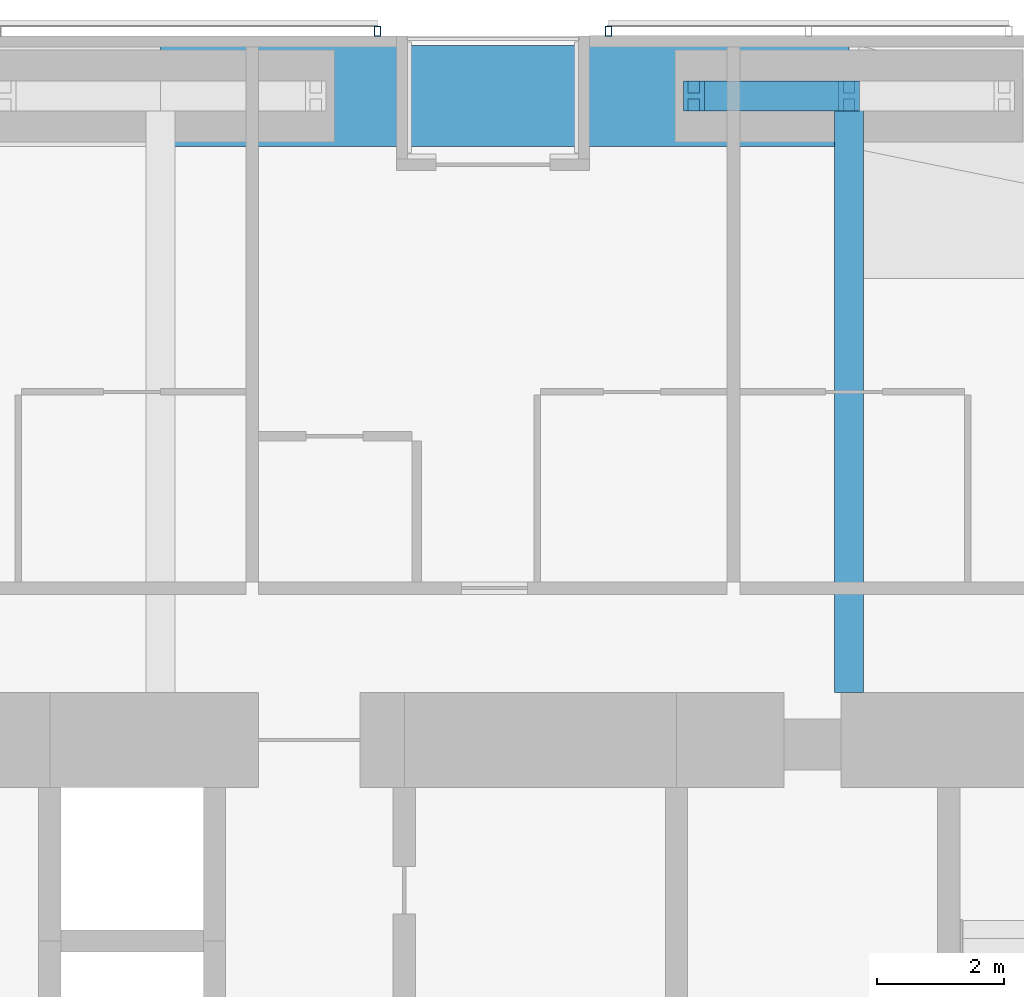
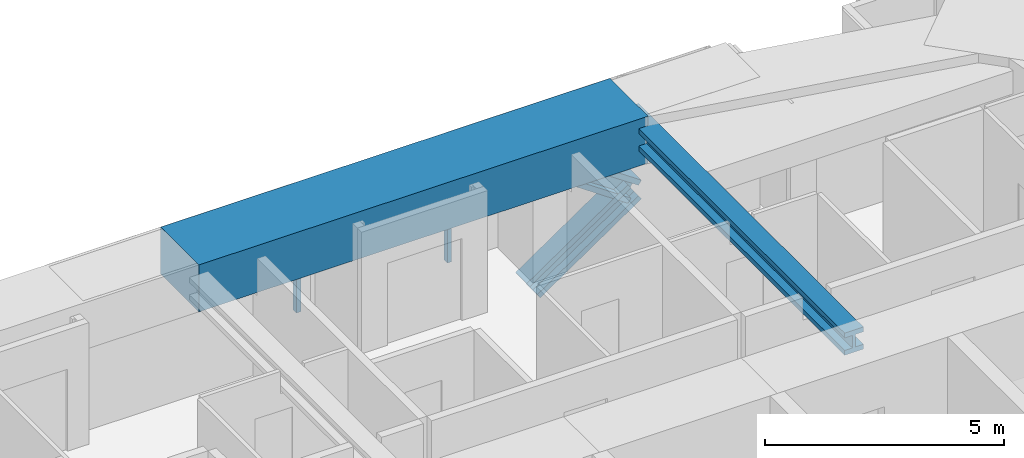
# One storey, part 14 of 25: 4 members, 2 beams, 2 elements without a shape of their own.
"""IFC4 building model written with IfcOpenShell, lengths in metres."""

from ifc_helpers import new_model, si_unit, direction, frame, origin, origin_2d, place, context, subcontext, project, spatial, rectangle, hollow_rectangle, i_section, extrude, material, material_profile, profile_set, type_object, element, aggregate, save


model = new_model("IFC4")

# Units and contexts
model_context = context("Model", 3, precision=1e-05, world=origin(), true_north=direction((0.0, 1.0)))
body_context = subcontext(model_context, "Body", "Model", "MODEL_VIEW")
ifc_project = project(units=[si_unit("LENGTHUNIT", "METRE"), si_unit("AREAUNIT", "SQUARE_METRE"), si_unit("VOLUMEUNIT", "CUBIC_METRE"), si_unit("PLANEANGLEUNIT", "RADIAN"), si_unit("MASSUNIT", "GRAM", prefix="KILO")], contexts=[model_context])

# Site, building, storey
site_placement = place(None, origin())
site = spatial("IfcSite", under=ifc_project, at=site_placement, CompositionType="ELEMENT")
building_placement = place(site_placement, origin())
building = spatial("IfcBuilding", under=site, at=building_placement, Name="Jalousie Tower", CompositionType="ELEMENT")
storey_placement = place(building_placement, frame((0.0, 0.0, 101.5)))
storey = spatial("IfcBuildingStorey", under=building, at=storey_placement, Name="L27", CompositionType="ELEMENT", Elevation=101.5)

# Beam
ifc_material_1 = material(Name="Steel ASTM A992 Grade 50", Category="steel")
ifc_material_profile_1 = material_profile(ifc_material_1, i_section(OverallWidth=0.45458984375, OverallDepth=0.569091796875, WebThickness=0.077880859375, FlangeThickness=0.124755859375, at=origin_2d()), Name="W14X730")
ifc_profile_set_1 = profile_set([ifc_material_profile_1], Name="Steel ASTM A992 Grade 50")
beam_type_1 = type_object("IfcBeamType", Name="LEAN COLLECTOR W14X730", PredefinedType="BEAM", material=ifc_profile_set_1)
beam_1_placement = place(storey_placement, frame((38.625, 37.050048828125, 2.825439453125), z_axis=(0.0, -1.0, 0.0), x_axis=(1.0, 0.0, 0.0)))
element("IfcBeam", 1, at=beam_1_placement, inside=storey, type_object=beam_type_1, Name="Lean collector under L28", PredefinedType="BEAM", context=body_context, shape_type="SweptSolid", body=[
    extrude(i_section(OverallWidth=0.45458984375, OverallDepth=0.569091796875, WebThickness=0.077880859375, FlangeThickness=0.124755859375, at=origin_2d()), origin(), (0.0, 0.0, 1.0), 9.425048828125),
])

# Members
ifc_material_2 = material(Name="Steel ASTM A992 Grade 50", Category="steel")
ifc_material_profile_2 = material_profile(ifc_material_2, i_section(OverallWidth=0.472412109375, OverallDepth=0.5791015625, WebThickness=0.094970703125, FlangeThickness=0.1298828125, at=origin_2d()), Name="W14X808")
ifc_profile_set_2 = profile_set([ifc_material_profile_2], Name="Steel ASTM A992 Grade 50")
member_type_1 = type_object("IfcMemberType", Name="PERIMETER BRACE W14X808", PredefinedType="BRACE", material=ifc_profile_set_2)
for number, where, z_axis, x_axis, name in (
    (2, (36.175048828125, 37.050048828125, -0.60009765625), (0.825500916831, 0.0, 0.564400776321), (0.0, 1.0, 0.0), "Perimeter brace 09 L27 part 1"),
    (3, (38.625, 37.050048828125, 1.074951171875), (-0.825500916831, 0.0, 0.564400776321), (0.0, -1.0, 0.0), "Perimeter brace 09 L27 part 4"),
):
    element("IfcMember", number, at=place(storey_placement, frame(where, z_axis=z_axis, x_axis=x_axis)), inside=storey, type_object=member_type_1, Name=name, PredefinedType="BRACE", context=body_context, shape_type="SweptSolid", body=[
        extrude(i_section(OverallWidth=0.472412109375, OverallDepth=0.5791015625, WebThickness=0.094970703125, FlangeThickness=0.1298828125, at=origin_2d()), origin(), (0.0, 0.0, 1.0), 2.9677734375),
    ])

# Beam
ifc_material_3 = material(Name="Concrete f'c 40 MPa", Category="concrete")
ifc_material_profile_3 = material_profile(ifc_material_3, rectangle(XDim=1.60009765625, YDim=1.199951171875, at=origin_2d()), Name="RC 1600x1200")
ifc_profile_set_3 = profile_set([ifc_material_profile_3], Name="Concrete f'c 40 MPa")
beam_type_2 = type_object("IfcBeamType", Name="RC BEAM 1600x1200", PredefinedType="BEAM", material=ifc_profile_set_3)
beam_2_placement = place(storey_placement, frame((38.625, 37.050048828125, 2.75), z_axis=(-1.0, 0.0, 0.0), x_axis=(0.0, -1.0, 0.0)))
element("IfcBeam", 4, at=beam_2_placement, inside=storey, type_object=beam_type_2, Name="Edge band beam 09-10 under L28", PredefinedType="BEAM", context=body_context, shape_type="SweptSolid", body=[
    extrude(rectangle(XDim=1.60009765625, YDim=1.199951171875, at=origin_2d()), origin(), (0.0, 0.0, 1.0), 10.875),
])

# Curtain wall, member
ifc_material_4 = material(Name="Perforated aluminium sheet", Category="aluminium")
curtain_wall_type = type_object("IfcCurtainWallType", Name="SOLAR SCREEN SS-1", PredefinedType="USERDEFINED", material=ifc_material_4)
curtain_wall_1_placement = place(storey_placement, origin())
curtain_wall_1 = element("IfcCurtainWall", 5, at=curtain_wall_1_placement, inside=storey, type_object=curtain_wall_type, Name="Solar screen L27", ObjectType="SOLAR SCREEN SS-1", PredefinedType="USERDEFINED")
ifc_material_5 = material(Name="Steel ASTM A500 Grade C", Category="steel")
ifc_material_profile_4 = material_profile(ifc_material_5, hollow_rectangle(XDim=0.1015625, YDim=0.15234375, WallThickness=0.00634765625, at=origin_2d()), Name="HSS6X4X1/4")
ifc_profile_set_4 = profile_set([ifc_material_profile_4], Name="Steel ASTM A500 Grade C")
member_type_2 = type_object("IfcMemberType", Name="SOLAR SCREEN SS-1 MULLION", PredefinedType="MULLION", material=ifc_profile_set_4)
member_1_placement = place(storey_placement, frame((34.824951171875, 38.0712890625, -0.1201171875), z_axis=(0.0, 0.0, 1.0), x_axis=(-1.0, 0.0, 0.0)))
member_1 = element("IfcMember", 6, at=member_1_placement, type_object=member_type_2, Name="SS1 post 3", PredefinedType="MULLION", context=body_context, shape_type="SweptSolid", body=[
    extrude(hollow_rectangle(XDim=0.1015625, YDim=0.15234375, WallThickness=0.00634765625, at=origin_2d()), origin(), (0.0, 0.0, 1.0), 3.230224609375),
])
aggregate(curtain_wall_1, [member_1])

curtain_wall_2_placement = place(storey_placement, origin())
curtain_wall_2 = element("IfcCurtainWall", 7, at=curtain_wall_2_placement, inside=storey, type_object=curtain_wall_type, Name="Solar screen L27", ObjectType="SOLAR SCREEN SS-1", PredefinedType="USERDEFINED")
member_2_placement = place(storey_placement, frame((31.175048828125, 38.0712890625, -0.1201171875), z_axis=(0.0, 0.0, 1.0), x_axis=(-1.0, 0.0, 0.0)))
member_2 = element("IfcMember", 8, at=member_2_placement, type_object=member_type_2, Name="SS1 post 1", PredefinedType="MULLION", context=body_context, shape_type="SweptSolid", body=[
    extrude(hollow_rectangle(XDim=0.1015625, YDim=0.15234375, WallThickness=0.00634765625, at=origin_2d()), origin(), (0.0, 0.0, 1.0), 3.230224609375),
])
aggregate(curtain_wall_2, [member_2])

save(model, "model.ifc")
